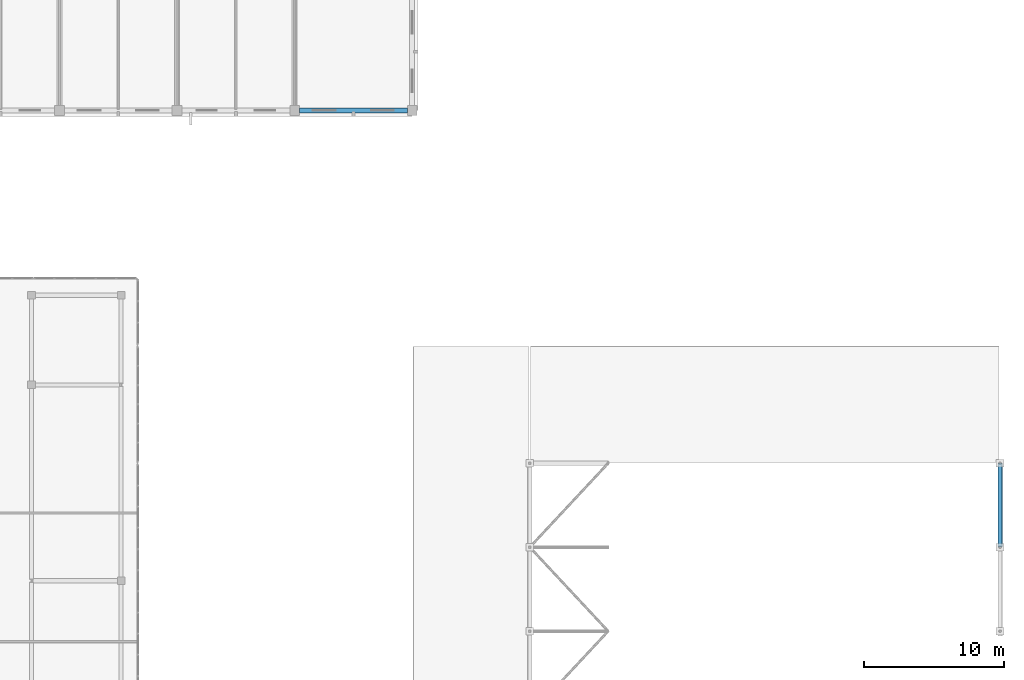
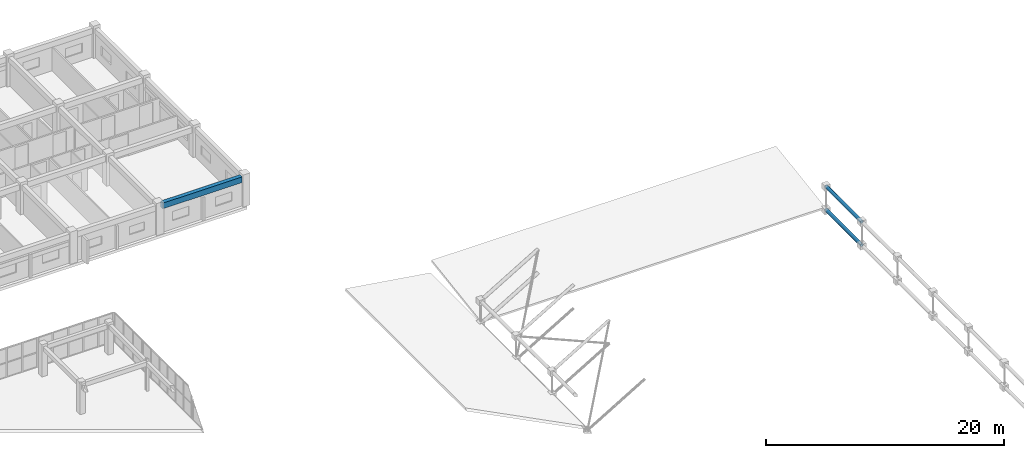
# One storey, part 95 of 148: 2 members, 1 beam.
"""IFC4 building model written with IfcOpenShell, lengths in metres."""

from ifc_helpers import new_model, si_unit, direction, frame, origin, origin_2d, place, context, subcontext, project, spatial, rectangle, hollow_circle, extrude, material, material_profile, profile_set, type_object, element, save


model = new_model("IFC4")

# Units and contexts
model_context = context("Model", 3, precision=1e-05, world=origin(), true_north=direction((0.0, 1.0)))
body_context = subcontext(model_context, "Body", "Model", "MODEL_VIEW")
ifc_project = project(units=[si_unit("LENGTHUNIT", "METRE"), si_unit("AREAUNIT", "SQUARE_METRE"), si_unit("VOLUMEUNIT", "CUBIC_METRE"), si_unit("PLANEANGLEUNIT", "RADIAN"), si_unit("MASSUNIT", "GRAM", prefix="KILO")], contexts=[model_context])

# Site, building, storey
site_placement = place(None, origin())
site = spatial("IfcSite", under=ifc_project, at=site_placement, CompositionType="ELEMENT")
building_placement = place(site_placement, origin())
building = spatial("IfcBuilding", under=site, at=building_placement, Name="Trelvath General Hospital", CompositionType="ELEMENT")
storey_placement = place(building_placement, frame((0.0, 0.0, 12.89990234375)))
storey = spatial("IfcBuildingStorey", under=building, at=storey_placement, Name="L03", CompositionType="ELEMENT", Elevation=12.89990234375)

# Beam
ifc_material_1 = material(Name="Concrete C35/45", Category="concrete")
ifc_material_profile_1 = material_profile(ifc_material_1, rectangle(XDim=0.3798828125, YDim=0.580078125, at=origin_2d()), Name="RCB380x580")
ifc_profile_set_1 = profile_set([ifc_material_profile_1], Name="Concrete C35/45")
beam_type = type_object("IfcBeamType", Name="Beam RC380x580", PredefinedType="BEAM", material=ifc_profile_set_1)
beam_placement = place(storey_placement, frame((126.344970703125, 92.39990234375, 2.72998046875), z_axis=(1.0, 0.0, 0.0), x_axis=(0.0, 1.0, 0.0)))
element("IfcBeam", 1, at=beam_placement, inside=storey, type_object=beam_type, Name="Grid Beam BX-315L", PredefinedType="BEAM", context=body_context, shape_type="SweptSolid", body=[
    extrude(rectangle(XDim=0.3798828125, YDim=0.580078125, at=origin_2d()), origin(), (0.0, 0.0, 1.0), 7.7099609375),
])

# Members
ifc_material_2 = material(Name="Steel S355", Category="steel")
ifc_material_profile_2 = material_profile(ifc_material_2, hollow_circle(Radius=0.161865234375, WallThickness=0.012451171875, at=origin_2d()), Name="CHS323.9x12.5")
ifc_profile_set_2 = profile_set([ifc_material_profile_2], Name="Steel S355")
member_type = type_object("IfcMemberType", Name="SpaceFrameEdgeChord CHS323", PredefinedType="CHORD", material=ifc_profile_set_2)
for number, where, z_axis, x_axis, name in (
    (2, (176.39990234375, 61.199951171875, 0.0), (0.0, 1.0, 0.0), (-1.0, 0.0, 0.0), "Space Frame Bottom Chord Y 7-7"),
    (3, (176.39990234375, 61.199951171875, 2.400146484375), (0.0, 1.0, 0.0), (-1.0, 0.0, 0.0), "Space Frame Top Chord Y 7-7"),
):
    element("IfcMember", number, at=place(storey_placement, frame(where, z_axis=z_axis, x_axis=x_axis)), inside=storey, type_object=member_type, Name=name, PredefinedType="CHORD", context=body_context, shape_type="SweptSolid", body=[
        extrude(hollow_circle(Radius=0.161865234375, WallThickness=0.012451171875, at=origin_2d()), origin(), (0.0, 0.0, 1.0), 6.0),
    ])

save(model, "model.ifc")
